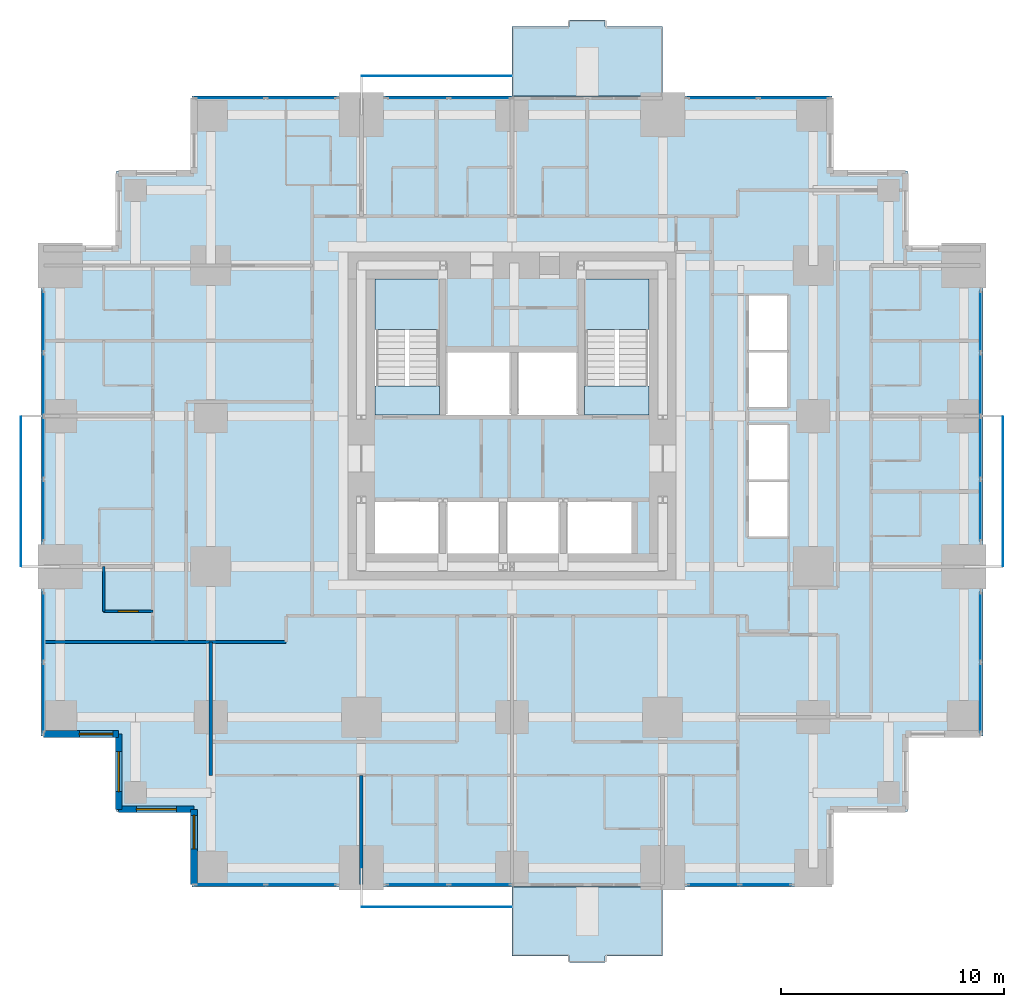
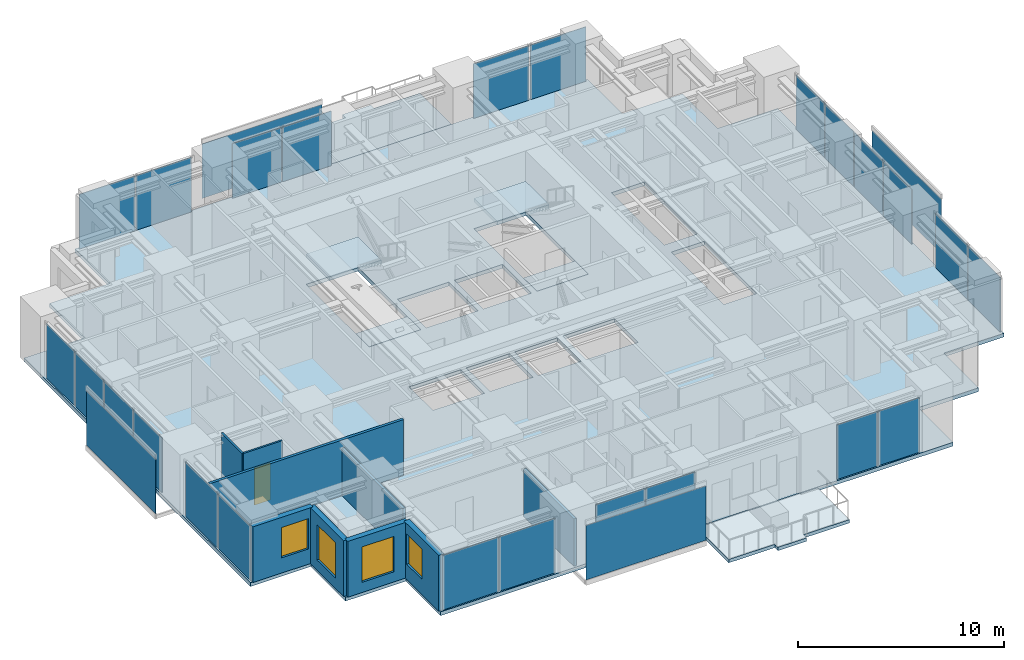
# One storey, part 6 of 12: 28 plates, 9 walls, 7 slabs, 4 windows, 1 door, 5 openings, 12 elements without a shape of their own.
"""IFC4 building model written with IfcOpenShell, lengths in metres."""

from ifc_helpers import new_model, si_unit, direction, frame, frame_2d, origin, origin_2d, place, context, subcontext, project, spatial, polyline, rectangle, outline, extrude, material, layer, layer_set, type_object, element, fill, aggregate, save


model = new_model("IFC4")

# Units and contexts
model_context = context("Model", 3, precision=1e-05, world=origin(), true_north=direction((0.0, 1.0)))
body_context = subcontext(model_context, "Body", "Model", "MODEL_VIEW")
ifc_project = project(units=[si_unit("LENGTHUNIT", "METRE"), si_unit("AREAUNIT", "SQUARE_METRE"), si_unit("VOLUMEUNIT", "CUBIC_METRE"), si_unit("PLANEANGLEUNIT", "RADIAN"), si_unit("MASSUNIT", "GRAM", prefix="KILO")], contexts=[model_context])

# Site, building, storey
site_placement = place(None, origin())
site = spatial("IfcSite", under=ifc_project, at=site_placement, CompositionType="ELEMENT")
building_placement = place(site_placement, origin())
building = spatial("IfcBuilding", under=site, at=building_placement, Name="Nyansa Garden Tower", CompositionType="ELEMENT")
storey_placement = place(building_placement, frame((0.0, 0.0, 134.10009765625)))
storey = spatial("IfcBuildingStorey", under=building, at=storey_placement, Name="L36", CompositionType="ELEMENT", Elevation=134.10009765625)

# Slabs
ifc_material_1 = material(Name="Concrete C40/50", Category="concrete")
ifc_layer_1 = layer(ifc_material_1, 0.199951171875)
ifc_layer_set_1 = layer_set([ifc_layer_1], Name="Balcony slab BS200")
slab_type_1 = type_object("IfcSlabType", Name="Balcony slab BS200", PredefinedType="FLOOR", material=ifc_layer_set_1)
slab_1_placement = place(storey_placement, frame((0.0, 0.0, -0.239990234375)))
element("IfcSlab", 1, at=slab_1_placement, inside=storey, type_object=slab_type_1, Name="Balcony L36 S", PredefinedType="FLOOR", context=body_context, shape_type="SweptSolid", body=[
    extrude(outline(polyline([(20.25, -0.85009765625), (27.0, -0.85009765625), (27.0, -3.949951171875), (24.425048828125, -3.949951171875), (24.425048828125, -4.25), (22.824951171875, -4.25), (22.824951171875, -3.949951171875), (20.25, -3.949951171875), (20.25, -0.85009765625)])), origin(), (0.0, 0.0, 1.0), 0.199951171875),
])
slab_2_placement = place(storey_placement, frame((0.0, 0.0, -0.239990234375)))
element("IfcSlab", 2, at=slab_2_placement, inside=storey, type_object=slab_type_1, Name="Balcony L36 N", PredefinedType="FLOOR", context=body_context, shape_type="SweptSolid", body=[
    extrude(outline(polyline([(20.25, 34.60009765625), (27.0, 34.60009765625), (27.0, 37.699951171875), (24.425048828125, 37.699951171875), (24.425048828125, 38.0), (22.824951171875, 38.0), (22.824951171875, 37.699951171875), (20.25, 37.699951171875), (20.25, 34.60009765625)])), origin(), (0.0, 0.0, 1.0), 0.199951171875),
])

# Curtain wall, plates
ifc_material_2 = material(Name="Black anodised aluminium, dark tinted double glazing", Category="aluminium")
curtain_wall_type = type_object("IfcCurtainWallType", Name="Inner skin curtain wall ISW-B", PredefinedType="USERDEFINED", material=ifc_material_2)
curtain_wall_1_placement = place(storey_placement, origin())
curtain_wall_1 = element("IfcCurtainWall", 3, at=curtain_wall_1_placement, inside=storey, type_object=curtain_wall_type, Name="Inner skin curtain wall L36 E", ObjectType="UNITISED CURTAIN WALL", PredefinedType="USERDEFINED")
ifc_material_3 = material(Name="Dark tinted laminated double glazing", Category="glass")
ifc_layer_2 = layer(ifc_material_3, 0.035888671875)
ifc_layer_set_2 = layer_set([ifc_layer_2], Name="Dark tinted vision panel VP-B")
plate_type_1 = type_object("IfcPlateType", Name="Dark tinted vision panel VP-B", PredefinedType="CURTAIN_PANEL", material=ifc_layer_set_2)
plate_1_placement = place(storey_placement, frame((41.25, 7.621337890625, 0.0), z_axis=(0.0, 0.0, 1.0), x_axis=(0.0, 1.0, 0.0)))
plate_1 = element("IfcPlate", 4, at=plate_1_placement, type_object=plate_type_1, Name="ISW-B panel 1", PredefinedType="CURTAIN_PANEL", context=body_context, shape_type="SweptSolid", body=[
    extrude(rectangle(XDim=3.112548828125, YDim=0.035888671875, at=origin_2d()), origin(), (0.0, 0.0, 1.0), 3.235107421875),
])
plate_2_placement = place(storey_placement, frame((41.25, 10.798828125, 0.0), z_axis=(0.0, 0.0, 1.0), x_axis=(0.0, 1.0, 0.0)))
plate_2 = element("IfcPlate", 5, at=plate_2_placement, type_object=plate_type_1, Name="ISW-B panel 2", PredefinedType="CURTAIN_PANEL", context=body_context, shape_type="SweptSolid", body=[
    extrude(rectangle(XDim=3.112548828125, YDim=0.035888671875, at=origin_2d()), origin(), (0.0, 0.0, 1.0), 3.235107421875),
])
aggregate(curtain_wall_1, [plate_1, plate_2])

curtain_wall_2_placement = place(storey_placement, origin())
curtain_wall_2 = element("IfcCurtainWall", 6, at=curtain_wall_2_placement, inside=storey, type_object=curtain_wall_type, Name="Inner skin curtain wall L36 E", ObjectType="UNITISED CURTAIN WALL", PredefinedType="USERDEFINED")
plate_3_placement = place(storey_placement, frame((41.25, 16.013671875, 0.0), z_axis=(0.0, 0.0, 1.0), x_axis=(0.0, 1.0, 0.0)))
plate_3 = element("IfcPlate", 7, at=plate_3_placement, type_object=plate_type_1, Name="ISW-B panel 1", PredefinedType="CURTAIN_PANEL", context=body_context, shape_type="SweptSolid", body=[
    extrude(rectangle(XDim=2.737548828125, YDim=0.035888671875, at=origin_2d()), origin(), (0.0, 0.0, 1.0), 3.235107421875),
])
plate_4_placement = place(storey_placement, frame((41.25, 18.83251953125, 0.0), z_axis=(0.0, 0.0, 1.0), x_axis=(0.0, 1.0, 0.0)))
plate_4 = element("IfcPlate", 8, at=plate_4_placement, type_object=plate_type_1, Name="ISW-B panel 2", PredefinedType="CURTAIN_PANEL", context=body_context, shape_type="SweptSolid", body=[
    extrude(rectangle(XDim=2.77001953125, YDim=0.035888671875, at=origin_2d()), origin(), (0.0, 0.0, 1.0), 3.235107421875),
])
plate_5_placement = place(storey_placement, frame((41.25, 21.66748046875, 0.0), z_axis=(0.0, 0.0, 1.0), x_axis=(0.0, 1.0, 0.0)))
plate_5 = element("IfcPlate", 9, at=plate_5_placement, type_object=plate_type_1, Name="ISW-B panel 3", PredefinedType="CURTAIN_PANEL", context=body_context, shape_type="SweptSolid", body=[
    extrude(rectangle(XDim=2.77001953125, YDim=0.035888671875, at=origin_2d()), origin(), (0.0, 0.0, 1.0), 3.235107421875),
])
plate_6_placement = place(storey_placement, frame((41.25, 24.486328125, 0.0), z_axis=(0.0, 0.0, 1.0), x_axis=(0.0, 1.0, 0.0)))
plate_6 = element("IfcPlate", 10, at=plate_6_placement, type_object=plate_type_1, Name="ISW-B panel 4", PredefinedType="CURTAIN_PANEL", context=body_context, shape_type="SweptSolid", body=[
    extrude(rectangle(XDim=2.737548828125, YDim=0.035888671875, at=origin_2d()), origin(), (0.0, 0.0, 1.0), 3.235107421875),
])
aggregate(curtain_wall_2, [plate_3, plate_4, plate_5, plate_6])

curtain_wall_3_placement = place(storey_placement, origin())
curtain_wall_3 = element("IfcCurtainWall", 11, at=curtain_wall_3_placement, inside=storey, type_object=curtain_wall_type, Name="Inner skin curtain wall L36 N", ObjectType="UNITISED CURTAIN WALL", PredefinedType="USERDEFINED")
plate_7_placement = place(storey_placement, frame((18.816162109375, 34.5, 0.0), z_axis=(0.0, 0.0, 1.0), x_axis=(-1.0, 0.0, 0.0)))
plate_7 = element("IfcPlate", 12, at=plate_7_placement, type_object=plate_type_1, Name="ISW-B panel 1", PredefinedType="CURTAIN_PANEL", context=body_context, shape_type="SweptSolid", body=[
    extrude(rectangle(XDim=2.737548828125, YDim=0.035888671875, at=origin_2d()), origin(), (0.0, 0.0, 1.0), 3.235107421875),
])
plate_8_placement = place(storey_placement, frame((16.013671875, 34.5, 0.0), z_axis=(0.0, 0.0, 1.0), x_axis=(-1.0, 0.0, 0.0)))
plate_8 = element("IfcPlate", 13, at=plate_8_placement, type_object=plate_type_1, Name="ISW-B panel 2", PredefinedType="CURTAIN_PANEL", context=body_context, shape_type="SweptSolid", body=[
    extrude(rectangle(XDim=2.737548828125, YDim=0.035888671875, at=origin_2d()), origin(), (0.0, 0.0, 1.0), 3.235107421875),
])
aggregate(curtain_wall_3, [plate_7, plate_8])

curtain_wall_4_placement = place(storey_placement, origin())
curtain_wall_4 = element("IfcCurtainWall", 14, at=curtain_wall_4_placement, inside=storey, type_object=curtain_wall_type, Name="Inner skin curtain wall L36 N", ObjectType="UNITISED CURTAIN WALL", PredefinedType="USERDEFINED")
plate_9_placement = place(storey_placement, frame((10.798828125, 34.5, 0.0), z_axis=(0.0, 0.0, 1.0), x_axis=(-1.0, 0.0, 0.0)))
plate_9 = element("IfcPlate", 15, at=plate_9_placement, type_object=plate_type_1, Name="ISW-B panel 1", PredefinedType="CURTAIN_PANEL", context=body_context, shape_type="SweptSolid", body=[
    extrude(rectangle(XDim=3.112548828125, YDim=0.035888671875, at=origin_2d()), origin(), (0.0, 0.0, 1.0), 3.235107421875),
])
plate_10_placement = place(storey_placement, frame((7.621337890625, 34.5, 0.0), z_axis=(0.0, 0.0, 1.0), x_axis=(-1.0, 0.0, 0.0)))
plate_10 = element("IfcPlate", 16, at=plate_10_placement, type_object=plate_type_1, Name="ISW-B panel 2", PredefinedType="CURTAIN_PANEL", context=body_context, shape_type="SweptSolid", body=[
    extrude(rectangle(XDim=3.112548828125, YDim=0.035888671875, at=origin_2d()), origin(), (0.0, 0.0, 1.0), 3.235107421875),
])
aggregate(curtain_wall_4, [plate_9, plate_10])

curtain_wall_5_placement = place(storey_placement, origin())
curtain_wall_5 = element("IfcCurtainWall", 17, at=curtain_wall_5_placement, inside=storey, type_object=curtain_wall_type, Name="Inner skin curtain wall L36 N", ObjectType="UNITISED CURTAIN WALL", PredefinedType="USERDEFINED")
plate_11_placement = place(storey_placement, frame((32.878662109375, 34.5, 0.0), z_axis=(0.0, 0.0, 1.0), x_axis=(-1.0, 0.0, 0.0)))
plate_11 = element("IfcPlate", 18, at=plate_11_placement, type_object=plate_type_1, Name="ISW-B panel 1", PredefinedType="CURTAIN_PANEL", context=body_context, shape_type="SweptSolid", body=[
    extrude(rectangle(XDim=3.112548828125, YDim=0.035888671875, at=origin_2d()), origin(), (0.0, 0.0, 1.0), 3.235107421875),
])
plate_12_placement = place(storey_placement, frame((29.701171875, 34.5, 0.0), z_axis=(0.0, 0.0, 1.0), x_axis=(-1.0, 0.0, 0.0)))
plate_12 = element("IfcPlate", 19, at=plate_12_placement, type_object=plate_type_1, Name="ISW-B panel 2", PredefinedType="CURTAIN_PANEL", context=body_context, shape_type="SweptSolid", body=[
    extrude(rectangle(XDim=3.112548828125, YDim=0.035888671875, at=origin_2d()), origin(), (0.0, 0.0, 1.0), 3.235107421875),
])
aggregate(curtain_wall_5, [plate_11, plate_12])

curtain_wall_6_placement = place(storey_placement, origin())
curtain_wall_6 = element("IfcCurtainWall", 20, at=curtain_wall_6_placement, inside=storey, type_object=curtain_wall_type, Name="Inner skin curtain wall L36 W", ObjectType="UNITISED CURTAIN WALL", PredefinedType="USERDEFINED")
plate_13_placement = place(storey_placement, frame((-0.75, 24.486328125, 0.0), z_axis=(0.0, 0.0, 1.0), x_axis=(0.0, -1.0, 0.0)))
plate_13 = element("IfcPlate", 21, at=plate_13_placement, type_object=plate_type_1, Name="ISW-B panel 1", PredefinedType="CURTAIN_PANEL", context=body_context, shape_type="SweptSolid", body=[
    extrude(rectangle(XDim=2.737548828125, YDim=0.035888671875, at=origin_2d()), origin(), (0.0, 0.0, 1.0), 3.235107421875),
])
plate_14_placement = place(storey_placement, frame((-0.75, 21.66748046875, 0.0), z_axis=(0.0, 0.0, 1.0), x_axis=(0.0, -1.0, 0.0)))
plate_14 = element("IfcPlate", 22, at=plate_14_placement, type_object=plate_type_1, Name="ISW-B panel 2", PredefinedType="CURTAIN_PANEL", context=body_context, shape_type="SweptSolid", body=[
    extrude(rectangle(XDim=2.77001953125, YDim=0.035888671875, at=origin_2d()), origin(), (0.0, 0.0, 1.0), 3.235107421875),
])
plate_15_placement = place(storey_placement, frame((-0.75, 18.83251953125, 0.0), z_axis=(0.0, 0.0, 1.0), x_axis=(0.0, -1.0, 0.0)))
plate_15 = element("IfcPlate", 23, at=plate_15_placement, type_object=plate_type_1, Name="ISW-B panel 3", PredefinedType="CURTAIN_PANEL", context=body_context, shape_type="SweptSolid", body=[
    extrude(rectangle(XDim=2.77001953125, YDim=0.035888671875, at=origin_2d()), origin(), (0.0, 0.0, 1.0), 3.235107421875),
])
plate_16_placement = place(storey_placement, frame((-0.75, 16.013671875, 0.0), z_axis=(0.0, 0.0, 1.0), x_axis=(0.0, -1.0, 0.0)))
plate_16 = element("IfcPlate", 24, at=plate_16_placement, type_object=plate_type_1, Name="ISW-B panel 4", PredefinedType="CURTAIN_PANEL", context=body_context, shape_type="SweptSolid", body=[
    extrude(rectangle(XDim=2.737548828125, YDim=0.035888671875, at=origin_2d()), origin(), (0.0, 0.0, 1.0), 3.235107421875),
])
aggregate(curtain_wall_6, [plate_13, plate_14, plate_15, plate_16])

curtain_wall_7_placement = place(storey_placement, origin())
curtain_wall_7 = element("IfcCurtainWall", 25, at=curtain_wall_7_placement, inside=storey, type_object=curtain_wall_type, Name="Inner skin curtain wall L36 W", ObjectType="UNITISED CURTAIN WALL", PredefinedType="USERDEFINED")
plate_17_placement = place(storey_placement, frame((-0.75, 10.798828125, 0.0), z_axis=(0.0, 0.0, 1.0), x_axis=(0.0, -1.0, 0.0)))
plate_17 = element("IfcPlate", 26, at=plate_17_placement, type_object=plate_type_1, Name="ISW-B panel 1", PredefinedType="CURTAIN_PANEL", context=body_context, shape_type="SweptSolid", body=[
    extrude(rectangle(XDim=3.112548828125, YDim=0.035888671875, at=origin_2d()), origin(), (0.0, 0.0, 1.0), 3.235107421875),
])
plate_18_placement = place(storey_placement, frame((-0.75, 7.621337890625, 0.0), z_axis=(0.0, 0.0, 1.0), x_axis=(0.0, -1.0, 0.0)))
plate_18 = element("IfcPlate", 27, at=plate_18_placement, type_object=plate_type_1, Name="ISW-B panel 2", PredefinedType="CURTAIN_PANEL", context=body_context, shape_type="SweptSolid", body=[
    extrude(rectangle(XDim=3.112548828125, YDim=0.035888671875, at=origin_2d()), origin(), (0.0, 0.0, 1.0), 3.235107421875),
])
aggregate(curtain_wall_7, [plate_17, plate_18])

curtain_wall_8_placement = place(storey_placement, origin())
curtain_wall_8 = element("IfcCurtainWall", 28, at=curtain_wall_8_placement, inside=storey, type_object=curtain_wall_type, Name="Inner skin curtain wall L36 S", ObjectType="UNITISED CURTAIN WALL", PredefinedType="USERDEFINED")
plate_19_placement = place(storey_placement, frame((7.621337890625, -0.75, 0.0), z_axis=(0.0, 0.0, 1.0), x_axis=(1.0, 0.0, 0.0)))
plate_19 = element("IfcPlate", 29, at=plate_19_placement, type_object=plate_type_1, Name="ISW-B panel 1", PredefinedType="CURTAIN_PANEL", context=body_context, shape_type="SweptSolid", body=[
    extrude(rectangle(XDim=3.112548828125, YDim=0.035888671875, at=origin_2d()), origin(), (0.0, 0.0, 1.0), 3.235107421875),
])
plate_20_placement = place(storey_placement, frame((10.798828125, -0.75, 0.0), z_axis=(0.0, 0.0, 1.0), x_axis=(1.0, 0.0, 0.0)))
plate_20 = element("IfcPlate", 30, at=plate_20_placement, type_object=plate_type_1, Name="ISW-B panel 2", PredefinedType="CURTAIN_PANEL", context=body_context, shape_type="SweptSolid", body=[
    extrude(rectangle(XDim=3.112548828125, YDim=0.035888671875, at=origin_2d()), origin(), (0.0, 0.0, 1.0), 3.235107421875),
])
aggregate(curtain_wall_8, [plate_19, plate_20])

curtain_wall_9_placement = place(storey_placement, origin())
curtain_wall_9 = element("IfcCurtainWall", 31, at=curtain_wall_9_placement, inside=storey, type_object=curtain_wall_type, Name="Inner skin curtain wall L36 S", ObjectType="UNITISED CURTAIN WALL", PredefinedType="USERDEFINED")
plate_21_placement = place(storey_placement, frame((16.013671875, -0.75, 0.0), z_axis=(0.0, 0.0, 1.0), x_axis=(1.0, 0.0, 0.0)))
plate_21 = element("IfcPlate", 32, at=plate_21_placement, type_object=plate_type_1, Name="ISW-B panel 1", PredefinedType="CURTAIN_PANEL", context=body_context, shape_type="SweptSolid", body=[
    extrude(rectangle(XDim=2.737548828125, YDim=0.035888671875, at=origin_2d()), origin(), (0.0, 0.0, 1.0), 3.235107421875),
])
plate_22_placement = place(storey_placement, frame((18.816162109375, -0.75, 0.0), z_axis=(0.0, 0.0, 1.0), x_axis=(1.0, 0.0, 0.0)))
plate_22 = element("IfcPlate", 33, at=plate_22_placement, type_object=plate_type_1, Name="ISW-B panel 2", PredefinedType="CURTAIN_PANEL", context=body_context, shape_type="SweptSolid", body=[
    extrude(rectangle(XDim=2.737548828125, YDim=0.035888671875, at=origin_2d()), origin(), (0.0, 0.0, 1.0), 3.235107421875),
])
aggregate(curtain_wall_9, [plate_21, plate_22])

curtain_wall_10_placement = place(storey_placement, origin())
curtain_wall_10 = element("IfcCurtainWall", 34, at=curtain_wall_10_placement, inside=storey, type_object=curtain_wall_type, Name="Inner skin curtain wall L36 S", ObjectType="UNITISED CURTAIN WALL", PredefinedType="USERDEFINED")
plate_23_placement = place(storey_placement, frame((29.28125, -0.75, 0.0), z_axis=(0.0, 0.0, 1.0), x_axis=(1.0, 0.0, 0.0)))
plate_23 = element("IfcPlate", 35, at=plate_23_placement, type_object=plate_type_1, Name="ISW-B panel 1", PredefinedType="CURTAIN_PANEL", context=body_context, shape_type="SweptSolid", body=[
    extrude(rectangle(XDim=2.2724609375, YDim=0.035888671875, at=origin_2d()), origin(), (0.0, 0.0, 1.0), 3.235107421875),
])
plate_24_placement = place(storey_placement, frame((31.61865234375, -0.75, 0.0), z_axis=(0.0, 0.0, 1.0), x_axis=(1.0, 0.0, 0.0)))
plate_24 = element("IfcPlate", 36, at=plate_24_placement, type_object=plate_type_1, Name="ISW-B panel 2", PredefinedType="CURTAIN_PANEL", context=body_context, shape_type="SweptSolid", body=[
    extrude(rectangle(XDim=2.2724609375, YDim=0.035888671875, at=origin_2d()), origin(), (0.0, 0.0, 1.0), 3.235107421875),
])
aggregate(curtain_wall_10, [plate_23, plate_24])

# Slab
ifc_material_4 = material(Name="Concrete C40/50", Category="concrete")
ifc_layer_3 = layer(ifc_material_4, 0.22509765625)
ifc_layer_set_3 = layer_set([ifc_layer_3], Name="Floor slab FS225")
slab_type_2 = type_object("IfcSlabType", Name="Floor slab FS225", PredefinedType="FLOOR", material=ifc_layer_set_3)
slab_3_placement = place(storey_placement, frame((0.0, 0.0, -0.22509765625)))
element("IfcSlab", 37, at=slab_3_placement, inside=storey, type_object=slab_type_2, Name="Floor slab L36", PredefinedType="FLOOR", context=body_context, shape_type="SweptSolid", body=[
    extrude(outline(polyline([(41.35009765625, 5.89990234375), (37.97509765625, 5.89990234375), (37.97509765625, 2.52490234375), (34.60009765625, 2.52490234375), (34.60009765625, -0.85009765625), (5.89990234375, -0.85009765625), (5.89990234375, 2.52490234375), (2.52490234375, 2.52490234375), (2.52490234375, 5.89990234375), (-0.85009765625, 5.89990234375), (-0.85009765625, 27.85009765625), (2.52490234375, 27.85009765625), (2.52490234375, 31.22509765625), (5.89990234375, 31.22509765625), (5.89990234375, 34.60009765625), (34.60009765625, 34.60009765625), (34.60009765625, 31.22509765625), (37.97509765625, 31.22509765625), (37.97509765625, 27.85009765625), (41.35009765625, 27.85009765625), (41.35009765625, 5.89990234375)]), holes=[polyline([(14.10009765625, 14.10009765625), (17.0, 14.10009765625), (17.0, 16.39990234375), (14.10009765625, 16.39990234375), (14.10009765625, 14.10009765625)]), polyline([(17.300048828125, 14.10009765625), (19.699951171875, 14.10009765625), (19.699951171875, 16.39990234375), (17.300048828125, 16.39990234375), (17.300048828125, 14.10009765625)]), polyline([(20.0, 14.10009765625), (22.39990234375, 14.10009765625), (22.39990234375, 16.39990234375), (20.0, 16.39990234375), (20.0, 14.10009765625)]), polyline([(22.699951171875, 14.10009765625), (25.60009765625, 14.10009765625), (25.60009765625, 16.39990234375), (22.699951171875, 16.39990234375), (22.699951171875, 14.10009765625)]), polyline([(17.300048828125, 20.300048828125), (20.199951171875, 20.300048828125), (20.199951171875, 23.10009765625), (17.300048828125, 23.10009765625), (17.300048828125, 20.300048828125)]), polyline([(20.5, 20.300048828125), (23.199951171875, 20.300048828125), (23.199951171875, 23.10009765625), (20.5, 23.10009765625), (20.5, 20.300048828125)]), polyline([(30.800048828125, 14.800048828125), (32.64990234375, 14.800048828125), (32.64990234375, 19.89990234375), (30.800048828125, 19.89990234375), (30.800048828125, 14.800048828125)]), polyline([(30.800048828125, 20.60009765625), (32.64990234375, 20.60009765625), (32.64990234375, 25.699951171875), (30.800048828125, 25.699951171875), (30.800048828125, 20.60009765625)]), polyline([(14.10009765625, 20.300048828125), (17.0, 20.300048828125), (17.0, 26.39990234375), (14.10009765625, 26.39990234375), (14.10009765625, 20.300048828125)]), polyline([(23.5, 20.300048828125), (26.39990234375, 20.300048828125), (26.39990234375, 26.39990234375), (23.5, 26.39990234375), (23.5, 20.300048828125)])]), origin(), (0.0, 0.0, 1.0), 0.22509765625),
])

# Plates
ifc_material_5 = material(Name="Dark tinted laminated glass", Category="glass")
ifc_layer_4 = layer(ifc_material_5, 0.02392578125)
ifc_layer_set_4 = layer_set([ifc_layer_4], Name="Outer skin glass panel OS1")
plate_type_2 = type_object("IfcPlateType", Name="Outer skin glass panel OS1", PredefinedType="USERDEFINED", material=ifc_layer_set_4)
for number, where, z_axis, x_axis, name in (
    (38, (42.25, 16.875, -0.22509765625), (0.0, 0.0, 1.0), (0.0, 1.0, 0.0), "Outer skin glass panel L36"),
    (39, (16.875, 35.5, -0.22509765625), (0.0, 0.0, 1.0), (1.0, 0.0, 0.0), "Outer skin glass panel L36"),
    (40, (-1.75, 16.875, -0.22509765625), (0.0, 0.0, 1.0), (0.0, 1.0, 0.0), "Outer skin glass panel L36"),
    (41, (16.875, -1.75, -0.22509765625), (0.0, 0.0, 1.0), (1.0, 0.0, 0.0), "Outer skin glass panel L36"),
):
    element("IfcPlate", number, at=place(storey_placement, frame(where, z_axis=z_axis, x_axis=x_axis)), inside=storey, type_object=plate_type_2, Name=name, ObjectType="OUTER SKIN GLASS", PredefinedType="USERDEFINED", context=body_context, shape_type="SweptSolid", body=[
        extrude(rectangle(XDim=6.7099609375, YDim=0.02392578125, at=origin_2d()), origin(), (0.0, 0.0, 1.0), 3.22509765625),
    ])

# Stair, slabs
ifc_material_6 = material(Name="Precast concrete C40/50", Category="concrete")
stair_type_1 = type_object("IfcStairType", Name="Stair S1 180x280", PredefinedType="HALF_TURN_STAIR", material=ifc_material_6)
stair_1_placement = place(storey_placement, origin())
stair_1 = element("IfcStair", 42, at=stair_1_placement, inside=storey, type_object=stair_type_1, Name="Stair S1 L36", PredefinedType="HALF_TURN_STAIR")
ifc_material_7 = material(Name="Concrete C40/50", Category="concrete")
ifc_layer_5 = layer(ifc_material_7, 0.199951171875)
ifc_layer_set_5 = layer_set([ifc_layer_5], Name="Stair landing SL200")
slab_type_3 = type_object("IfcSlabType", Name="Stair landing SL200", PredefinedType="LANDING", material=ifc_layer_set_5)
slab_4_placement = place(storey_placement, frame((0.0, 0.0, -0.2001953125)))
slab_4 = element("IfcSlab", 43, at=slab_4_placement, type_object=slab_type_3, Name="S1 landing 1", PredefinedType="LANDING", context=body_context, shape_type="SweptSolid", body=[
    extrude(outline(polyline([(14.10009765625, 20.300048828125), (17.0, 20.300048828125), (17.0, 21.60009765625), (14.10009765625, 21.60009765625), (14.10009765625, 20.300048828125)])), origin(), (0.0, 0.0, 1.0), 0.2001953125),
])
slab_5_placement = place(storey_placement, frame((0.0, 0.0, 1.599853515625)))
slab_5 = element("IfcSlab", 44, at=slab_5_placement, type_object=slab_type_3, Name="S1 landing 2", PredefinedType="LANDING", context=body_context, shape_type="SweptSolid", body=[
    extrude(outline(polyline([(14.10009765625, 24.1201171875), (17.0, 24.1201171875), (17.0, 26.39990234375), (14.10009765625, 26.39990234375), (14.10009765625, 24.1201171875)])), origin(), (0.0, 0.0, 1.0), 0.199951171875),
])
aggregate(stair_1, [slab_4, slab_5])

ifc_material_8 = material(Name="Precast concrete C40/50", Category="concrete")
stair_type_2 = type_object("IfcStairType", Name="Stair S2 180x280", PredefinedType="HALF_TURN_STAIR", material=ifc_material_8)
stair_2_placement = place(storey_placement, origin())
stair_2 = element("IfcStair", 45, at=stair_2_placement, inside=storey, type_object=stair_type_2, Name="Stair S2 L36", PredefinedType="HALF_TURN_STAIR")
slab_6_placement = place(storey_placement, frame((0.0, 0.0, -0.2001953125)))
slab_6 = element("IfcSlab", 46, at=slab_6_placement, type_object=slab_type_3, Name="S2 landing 1", PredefinedType="LANDING", context=body_context, shape_type="SweptSolid", body=[
    extrude(outline(polyline([(23.5, 20.300048828125), (26.39990234375, 20.300048828125), (26.39990234375, 21.60009765625), (23.5, 21.60009765625), (23.5, 20.300048828125)])), origin(), (0.0, 0.0, 1.0), 0.2001953125),
])
slab_7_placement = place(storey_placement, frame((0.0, 0.0, 1.599853515625)))
slab_7 = element("IfcSlab", 47, at=slab_7_placement, type_object=slab_type_3, Name="S2 landing 2", PredefinedType="LANDING", context=body_context, shape_type="SweptSolid", body=[
    extrude(outline(polyline([(23.5, 24.1201171875), (26.39990234375, 24.1201171875), (26.39990234375, 26.39990234375), (23.5, 26.39990234375), (23.5, 24.1201171875)])), origin(), (0.0, 0.0, 1.0), 0.199951171875),
])
aggregate(stair_2, [slab_6, slab_7])

# Walls
ifc_material_9 = material(Name="Blockwork, plastered both sides", Category="masonry")
ifc_layer_6 = layer(ifc_material_9, 0.14990234375)
ifc_layer_set_6 = layer_set([ifc_layer_6], Name="Partition PW150")
wall_type_1 = type_object("IfcWallType", Name="Partition PW150", PredefinedType="PARTITIONING", material=ifc_layer_set_6)
wall_1_placement = place(storey_placement, frame((-0.73388671875, 10.125, 0.0), z_axis=(0.0, 0.0, 1.0), x_axis=(1.0, 0.0, 0.0)))
element("IfcWall", 48, at=wall_1_placement, inside=storey, type_object=wall_type_1, Name="Partition", PredefinedType="PARTITIONING", context=body_context, shape_type="SweptSolid", body=[
    extrude(rectangle(XDim=10.85888671875, YDim=0.14990234375, at=frame_2d((5.429443359375, 0.0))), origin(), (0.0, 0.0, 1.0), 3.2998046875),
])
wall_2_placement = place(storey_placement, frame((6.75, 4.14990234375, 0.0), z_axis=(0.0, 0.0, 1.0), x_axis=(0.0, 1.0, 0.0)))
element("IfcWall", 49, at=wall_2_placement, inside=storey, type_object=wall_type_1, Name="Partition", PredefinedType="PARTITIONING", context=body_context, shape_type="SweptSolid", body=[
    extrude(rectangle(XDim=5.97509765625, YDim=0.14990234375, at=frame_2d((2.987548828125, 0.0))), origin(), (0.0, 0.0, 1.0), 2.802001953125),
])
wall_3_placement = place(storey_placement, frame((13.5, -0.73388671875, 0.0), z_axis=(0.0, 0.0, 1.0), x_axis=(0.0, 1.0, 0.0)))
element("IfcWall", 50, at=wall_3_placement, inside=storey, type_object=wall_type_1, Name="Partition", PredefinedType="PARTITIONING", context=body_context, shape_type="SweptSolid", body=[
    extrude(rectangle(XDim=4.8837890625, YDim=0.14990234375, at=frame_2d((2.44189453125, 0.0))), origin(), (0.0, 0.0, 1.0), 2.802001953125),
])

# Wall, opening, window
ifc_material_10 = material(Name="Turquoise glazed tile on concrete blockwork", Category="masonry")
ifc_layer_7 = layer(ifc_material_10, 0.300048828125)
ifc_layer_set_7 = layer_set([ifc_layer_7], Name="Tiled corner wall TW300")
wall_type_2 = type_object("IfcWallType", Name="Tiled corner wall TW300", PredefinedType="SOLIDWALL", material=ifc_layer_set_7)
wall_4_placement = place(storey_placement, frame((-0.75, 6.0, 0.0), z_axis=(0.0, 0.0, 1.0), x_axis=(1.0, 0.0, 0.0)))
wall_4 = element("IfcWall", 51, at=wall_4_placement, inside=storey, type_object=wall_type_2, Name="Tiled corner wall L36", PredefinedType="SOLIDWALL", context=body_context, shape_type="SweptSolid", body=[
    extrude(rectangle(XDim=3.375, YDim=0.300048828125, at=frame_2d((1.6875, 0.0))), origin(), (0.0, 0.0, 1.0), 3.2998046875),
])
opening_1_placement = place(wall_4_placement, frame((1.607421875, 0.0, 0.89990234375)))
opening_1 = element("IfcOpeningElement", 52, at=opening_1_placement, cuts=wall_4, Name="Opening W1", PredefinedType="OPENING", context=body_context, shape_type="SweptSolid", body=[
    extrude(rectangle(XDim=1.5, YDim=1.800048828125, at=frame_2d((0.75, 0.89990234375))), frame((0.0, 0.159912109375, 0.0), z_axis=(0.0, -1.0, 0.0), x_axis=(1.0, 0.0, 0.0)), (0.0, 0.0, 1.0), 0.320068359375),
])
ifc_material_11 = material(Name="Black aluminium frame, dark tinted double glazing", Category="aluminium")
window_type_1 = type_object("IfcWindowType", Name="Window W1 1500x1800", PartitioningType="SINGLE_PANEL", PredefinedType="WINDOW", material=ifc_material_11)
window_1_placement = place(opening_1_placement, origin())
window_1 = element("IfcWindow", 53, at=window_1_placement, inside=storey, type_object=window_type_1, Name="Corner window L36", OverallHeight=1.800048828125, OverallWidth=1.5, PartitioningType="SINGLE_PANEL", PredefinedType="WINDOW", context=body_context, shape_type="SweptSolid", body=[
    extrude(rectangle(XDim=1.5, YDim=1.800048828125, at=frame_2d((0.75, 0.89990234375))), frame((0.0, 0.030029296875, 0.0), z_axis=(0.0, -1.0, 0.0), x_axis=(1.0, 0.0, 0.0)), (0.0, 0.0, 1.0), 0.06005859375),
])
fill(opening_1, window_1)

wall_5_placement = place(storey_placement, frame((2.625, 6.0, 0.0), z_axis=(0.0, 0.0, 1.0), x_axis=(0.0, -1.0, 0.0)))
wall_5 = element("IfcWall", 54, at=wall_5_placement, inside=storey, type_object=wall_type_2, Name="Tiled corner wall L36", PredefinedType="SOLIDWALL", context=body_context, shape_type="SweptSolid", body=[
    extrude(rectangle(XDim=3.375, YDim=0.300048828125, at=frame_2d((1.6875, 0.0))), origin(), (0.0, 0.0, 1.0), 3.2998046875),
])
opening_2_placement = place(wall_5_placement, frame((0.78759765625, 0.0, 0.60009765625)))
opening_2 = element("IfcOpeningElement", 55, at=opening_2_placement, cuts=wall_5, Name="Opening W2", PredefinedType="OPENING", context=body_context, shape_type="SweptSolid", body=[
    extrude(rectangle(XDim=1.800048828125, YDim=2.10009765625, at=frame_2d((0.89990234375, 1.050048828125))), frame((0.0, 0.159912109375, 0.0), z_axis=(0.0, -1.0, 0.0), x_axis=(1.0, 0.0, 0.0)), (0.0, 0.0, 1.0), 0.320068359375),
])
ifc_material_12 = material(Name="Black aluminium frame, dark tinted double glazing", Category="aluminium")
window_type_2 = type_object("IfcWindowType", Name="Window W2 1800x2100", PartitioningType="SINGLE_PANEL", PredefinedType="WINDOW", material=ifc_material_12)
window_2_placement = place(opening_2_placement, origin())
window_2 = element("IfcWindow", 56, at=window_2_placement, inside=storey, type_object=window_type_2, Name="Corner window L36", OverallHeight=2.10009765625, OverallWidth=1.800048828125, PartitioningType="SINGLE_PANEL", PredefinedType="WINDOW", context=body_context, shape_type="SweptSolid", body=[
    extrude(rectangle(XDim=1.800048828125, YDim=2.10009765625, at=frame_2d((0.89990234375, 1.050048828125))), frame((0.0, 0.030029296875, 0.0), z_axis=(0.0, -1.0, 0.0), x_axis=(1.0, 0.0, 0.0)), (0.0, 0.0, 1.0), 0.06005859375),
])
fill(opening_2, window_2)

wall_6_placement = place(storey_placement, frame((2.625, 2.625, 0.0), z_axis=(0.0, 0.0, 1.0), x_axis=(1.0, 0.0, 0.0)))
wall_6 = element("IfcWall", 57, at=wall_6_placement, inside=storey, type_object=wall_type_2, Name="Tiled corner wall L36", PredefinedType="SOLIDWALL", context=body_context, shape_type="SweptSolid", body=[
    extrude(rectangle(XDim=3.375, YDim=0.300048828125, at=frame_2d((1.6875, 0.0))), origin(), (0.0, 0.0, 1.0), 3.2998046875),
])
opening_3_placement = place(wall_6_placement, frame((0.78759765625, 0.0, 0.60009765625)))
opening_3 = element("IfcOpeningElement", 58, at=opening_3_placement, cuts=wall_6, Name="Opening W2", PredefinedType="OPENING", context=body_context, shape_type="SweptSolid", body=[
    extrude(rectangle(XDim=1.800048828125, YDim=2.10009765625, at=frame_2d((0.89990234375, 1.050048828125))), frame((0.0, 0.159912109375, 0.0), z_axis=(0.0, -1.0, 0.0), x_axis=(1.0, 0.0, 0.0)), (0.0, 0.0, 1.0), 0.320068359375),
])
window_3_placement = place(opening_3_placement, origin())
window_3 = element("IfcWindow", 59, at=window_3_placement, inside=storey, type_object=window_type_2, Name="Corner window L36", OverallHeight=2.10009765625, OverallWidth=1.800048828125, PartitioningType="SINGLE_PANEL", PredefinedType="WINDOW", context=body_context, shape_type="SweptSolid", body=[
    extrude(rectangle(XDim=1.800048828125, YDim=2.10009765625, at=frame_2d((0.89990234375, 1.050048828125))), frame((0.0, 0.030029296875, 0.0), z_axis=(0.0, -1.0, 0.0), x_axis=(1.0, 0.0, 0.0)), (0.0, 0.0, 1.0), 0.06005859375),
])
fill(opening_3, window_3)

wall_7_placement = place(storey_placement, frame((6.0, 2.625, 0.0), z_axis=(0.0, 0.0, 1.0), x_axis=(0.0, -1.0, 0.0)))
wall_7 = element("IfcWall", 60, at=wall_7_placement, inside=storey, type_object=wall_type_2, Name="Tiled corner wall L36", PredefinedType="SOLIDWALL", context=body_context, shape_type="SweptSolid", body=[
    extrude(rectangle(XDim=3.375, YDim=0.300048828125, at=frame_2d((1.6875, 0.0))), origin(), (0.0, 0.0, 1.0), 3.2998046875),
])
opening_4_placement = place(wall_7_placement, frame((0.267578125, 0.0, 0.89990234375)))
opening_4 = element("IfcOpeningElement", 61, at=opening_4_placement, cuts=wall_7, Name="Opening W1", PredefinedType="OPENING", context=body_context, shape_type="SweptSolid", body=[
    extrude(rectangle(XDim=1.5, YDim=1.800048828125, at=frame_2d((0.75, 0.89990234375))), frame((0.0, 0.159912109375, 0.0), z_axis=(0.0, -1.0, 0.0), x_axis=(1.0, 0.0, 0.0)), (0.0, 0.0, 1.0), 0.320068359375),
])
window_4_placement = place(opening_4_placement, origin())
window_4 = element("IfcWindow", 62, at=window_4_placement, inside=storey, type_object=window_type_1, Name="Corner window L36", OverallHeight=1.800048828125, OverallWidth=1.5, PartitioningType="SINGLE_PANEL", PredefinedType="WINDOW", context=body_context, shape_type="SweptSolid", body=[
    extrude(rectangle(XDim=1.5, YDim=1.800048828125, at=frame_2d((0.75, 0.89990234375))), frame((0.0, 0.030029296875, 0.0), z_axis=(0.0, -1.0, 0.0), x_axis=(1.0, 0.0, 0.0)), (0.0, 0.0, 1.0), 0.06005859375),
])
fill(opening_4, window_4)

# Wall
ifc_material_13 = material(Name="Moisture resistant board on steel studs, tiled", Category="steel")
ifc_layer_8 = layer(ifc_material_13, 0.10009765625)
ifc_layer_set_8 = layer_set([ifc_layer_8], Name="Wet wall PW100")
wall_type_3 = type_object("IfcWallType", Name="Wet wall PW100", PredefinedType="PARTITIONING", material=ifc_layer_set_8)
wall_8_placement = place(storey_placement, frame((1.949951171875, 11.5, 0.0), z_axis=(0.0, 0.0, 1.0), x_axis=(0.0, 1.0, 0.0)))
element("IfcWall", 63, at=wall_8_placement, inside=storey, type_object=wall_type_3, Name="Wet wall", PredefinedType="PARTITIONING", context=body_context, shape_type="SweptSolid", body=[
    extrude(rectangle(XDim=2.0, YDim=0.10009765625, at=frame_2d((1.0, 0.0))), origin(), (0.0, 0.0, 1.0), 3.2998046875),
])

# Wall, opening, door
wall_9_placement = place(storey_placement, frame((1.949951171875, 11.5, 0.0), z_axis=(0.0, 0.0, 1.0), x_axis=(1.0, 0.0, 0.0)))
wall_9 = element("IfcWall", 64, at=wall_9_placement, inside=storey, type_object=wall_type_3, Name="Wet wall", PredefinedType="PARTITIONING", context=body_context, shape_type="SweptSolid", body=[
    extrude(rectangle(XDim=2.199951171875, YDim=0.10009765625, at=frame_2d((1.10009765625, 0.0))), origin(), (0.0, 0.0, 1.0), 3.2998046875),
])
opening_5_placement = place(wall_9_placement, frame((0.64990234375, 0.0, 0.0)))
opening_5 = element("IfcOpeningElement", 65, at=opening_5_placement, cuts=wall_9, Name="Opening D02", PredefinedType="OPENING", context=body_context, shape_type="SweptSolid", body=[
    extrude(rectangle(XDim=0.89990234375, YDim=2.199951171875, at=frame_2d((0.449951171875, 1.10009765625))), frame((0.0, 0.06005859375, 0.0), z_axis=(0.0, -1.0, 0.0), x_axis=(1.0, 0.0, 0.0)), (0.0, 0.0, 1.0), 0.1201171875),
])
ifc_material_14 = material(Name="Timber flush door", Category="wood")
door_type = type_object("IfcDoorType", Name="En-suite door D02 900x2200", OperationType="SINGLE_SWING_RIGHT", PredefinedType="DOOR", material=ifc_material_14)
door_placement = place(opening_5_placement, origin())
door = element("IfcDoor", 66, at=door_placement, inside=storey, type_object=door_type, Name="Door L36-061", OperationType="SINGLE_SWING_RIGHT", OverallHeight=2.199951171875, OverallWidth=0.89990234375, PredefinedType="DOOR", context=body_context, shape_type="SweptSolid", body=[
    extrude(rectangle(XDim=0.89990234375, YDim=2.199951171875, at=frame_2d((0.449951171875, 1.10009765625))), frame((0.0, 0.02490234375, 0.0), z_axis=(0.0, -1.0, 0.0), x_axis=(1.0, 0.0, 0.0)), (0.0, 0.0, 1.0), 0.050048828125),
])
fill(opening_5, door)

save(model, "model.ifc")
